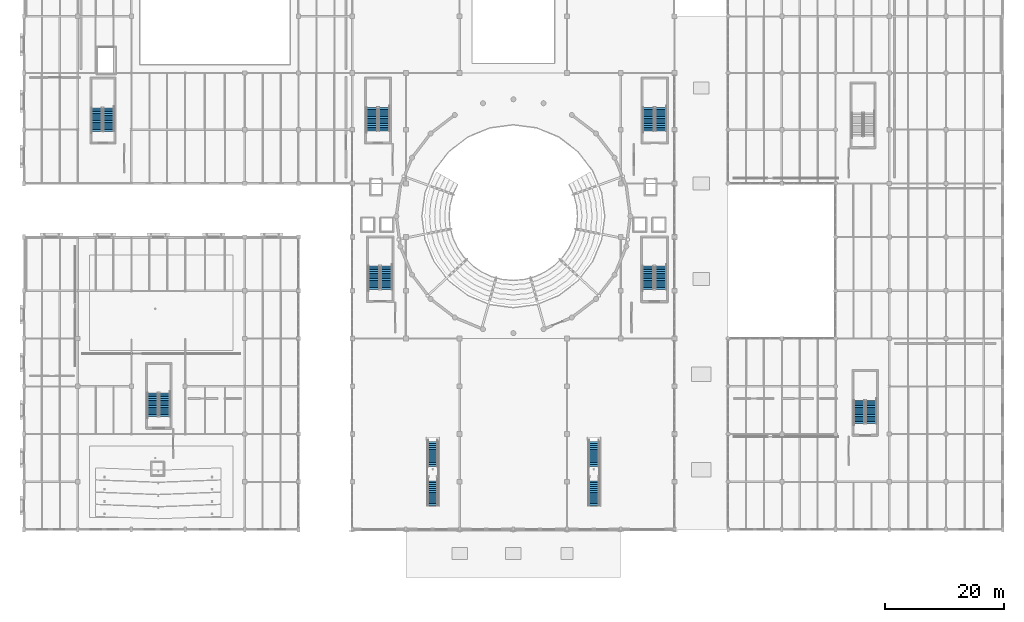
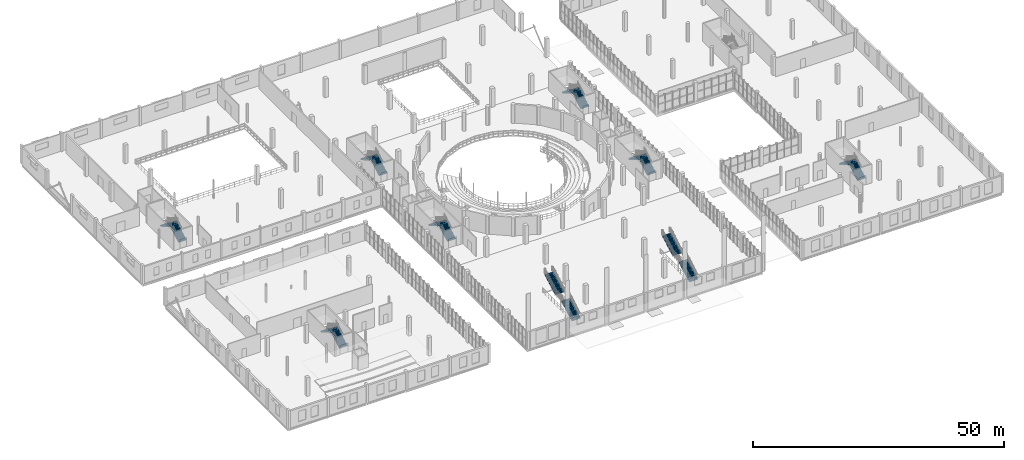
# One storey, part 77 of 93: 18 stair flights, 9 elements without a shape of their own.
"""IFC4 building model written with IfcOpenShell, lengths in metres."""

from ifc_helpers import new_model, si_unit, direction, frame, origin, place, context, subcontext, project, spatial, polyline, outline, extrude, material, type_object, element, aggregate, save


model = new_model("IFC4")

# Units and contexts
model_context = context("Model", 3, precision=1e-05, world=origin(), true_north=direction((0.0, 1.0)))
body_context = subcontext(model_context, "Body", "Model", "MODEL_VIEW")
ifc_project = project(units=[si_unit("LENGTHUNIT", "METRE"), si_unit("AREAUNIT", "SQUARE_METRE"), si_unit("VOLUMEUNIT", "CUBIC_METRE"), si_unit("PLANEANGLEUNIT", "RADIAN"), si_unit("MASSUNIT", "GRAM", prefix="KILO")], contexts=[model_context])

# Site, building, storey
site_placement = place(None, origin())
site = spatial("IfcSite", under=ifc_project, at=site_placement, CompositionType="ELEMENT")
building_placement = place(site_placement, origin())
building = spatial("IfcBuilding", under=site, at=building_placement, Name="Marnock Terrace Opera House", CompositionType="ELEMENT")
storey_placement = place(building_placement, frame((0.0, 0.0, 5.39990234375)))
storey = spatial("IfcBuildingStorey", under=building, at=storey_placement, Name="L01", CompositionType="ELEMENT", Elevation=5.39990234375)

# Stair, stair flights
ifc_material = material(Name="Concrete N40 (f'c = 40 MPa)", Category="concrete")
stair_type_1 = type_object("IfcStairType", Name="ST-GRAND-3200", PredefinedType="STRAIGHT_RUN_STAIR", material=ifc_material)
stair_1_placement = place(storey_placement, origin())
stair_1 = element("IfcStair", 1, at=stair_1_placement, inside=storey, type_object=stair_type_1, Name="L01 Grand Stair ceremonial stair ST-09", PredefinedType="STRAIGHT_RUN_STAIR")
stair_flight_type_1 = type_object("IfcStairFlightType", Name="FLT-GRAND-3200", PredefinedType="STRAIGHT", material=ifc_material)
stair_flight_1_placement = place(storey_placement, frame((68.5, 12.0, 0.0), z_axis=(0.0, 0.0, 1.0), x_axis=(0.0, 1.0, 0.0)))
stair_flight_1 = element("IfcStairFlight", 2, at=stair_flight_1_placement, type_object=stair_flight_type_1, Name="ST-09 flight 1", NumberOfRisers=14, NumberOfTreads=13, PredefinedType="STRAIGHT", RiserHeight=0.171429, TreadLength=0.32, context=body_context, shape_type="SweptSolid", body=[
    extrude(outline(polyline([(-0.00048828125, -0.06005859375), (-0.00048828125, 0.0), (0.0, 0.0), (0.0, 0.17138671875), (0.320068359375, 0.17138671875), (0.320068359375, 0.3427734375), (0.639892578125, 0.3427734375), (0.639892578125, 0.514404296875), (0.9599609375, 0.514404296875), (0.9599609375, 0.685791015625), (1.280029296875, 0.685791015625), (1.280029296875, 0.857177734375), (1.60009765625, 0.857177734375), (1.60009765625, 1.028564453125), (1.919921875, 1.028564453125), (1.919921875, 1.199951171875), (2.239990234375, 1.199951171875), (2.239990234375, 1.371337890625), (2.56005859375, 1.371337890625), (2.56005859375, 1.54296875), (2.8798828125, 1.54296875), (2.8798828125, 1.71435546875), (3.199951171875, 1.71435546875), (3.199951171875, 1.8857421875), (3.52001953125, 1.8857421875), (3.52001953125, 2.05712890625), (3.840087890625, 2.05712890625), (3.840087890625, 2.228515625), (4.159912109375, 2.228515625), (4.159912109375, 2.39990234375), (4.160400390625, 2.39990234375), (4.160400390625, 2.001708984375), (4.159912109375, 2.001708984375), (0.42333984375, -0.06005859375), (-0.00048828125, -0.06005859375)])), frame((0.0, 0.97998046875, 0.0), z_axis=(0.0, -1.0, 0.0), x_axis=(1.0, 0.0, 0.0)), (0.0, 0.0, 1.0), 1.9599609375),
])
stair_flight_2_placement = place(storey_placement, frame((68.5, 18.56005859375, 2.400146484375), z_axis=(0.0, 0.0, 1.0), x_axis=(0.0, 1.0, 0.0)))
stair_flight_2 = element("IfcStairFlight", 3, at=stair_flight_2_placement, type_object=stair_flight_type_1, Name="ST-09 flight 2", NumberOfRisers=14, NumberOfTreads=13, PredefinedType="STRAIGHT", RiserHeight=0.171429, TreadLength=0.32, context=body_context, shape_type="SweptSolid", body=[
    extrude(outline(polyline([(-0.00048828125, -0.06005859375), (-0.00048828125, 0.0), (0.0, 0.0), (0.0, 0.17138671875), (0.320068359375, 0.17138671875), (0.320068359375, 0.3427734375), (0.639892578125, 0.3427734375), (0.639892578125, 0.514404296875), (0.9599609375, 0.514404296875), (0.9599609375, 0.685791015625), (1.280029296875, 0.685791015625), (1.280029296875, 0.857177734375), (1.60009765625, 0.857177734375), (1.60009765625, 1.028564453125), (1.919921875, 1.028564453125), (1.919921875, 1.199951171875), (2.239990234375, 1.199951171875), (2.239990234375, 1.371337890625), (2.56005859375, 1.371337890625), (2.56005859375, 1.54296875), (2.8798828125, 1.54296875), (2.8798828125, 1.71435546875), (3.199951171875, 1.71435546875), (3.199951171875, 1.8857421875), (3.52001953125, 1.8857421875), (3.52001953125, 2.05712890625), (3.840087890625, 2.05712890625), (3.840087890625, 2.228515625), (4.159912109375, 2.228515625), (4.159912109375, 2.39990234375), (4.160400390625, 2.39990234375), (4.160400390625, 2.001708984375), (4.159912109375, 2.001708984375), (0.42333984375, -0.06005859375), (-0.00048828125, -0.06005859375)])), frame((0.0, 0.97998046875, 0.0), z_axis=(0.0, -1.0, 0.0), x_axis=(1.0, 0.0, 0.0)), (0.0, 0.0, 1.0), 1.9599609375),
])
aggregate(stair_1, [stair_flight_1, stair_flight_2])

stair_2_placement = place(storey_placement, origin())
stair_2 = element("IfcStair", 4, at=stair_2_placement, inside=storey, type_object=stair_type_1, Name="L01 Grand Stair ceremonial stair ST-10", PredefinedType="STRAIGHT_RUN_STAIR")
stair_flight_3_placement = place(storey_placement, frame((95.5, 12.0, 0.0), z_axis=(0.0, 0.0, 1.0), x_axis=(0.0, 1.0, 0.0)))
stair_flight_3 = element("IfcStairFlight", 5, at=stair_flight_3_placement, type_object=stair_flight_type_1, Name="ST-10 flight 1", NumberOfRisers=14, NumberOfTreads=13, PredefinedType="STRAIGHT", RiserHeight=0.171429, TreadLength=0.32, context=body_context, shape_type="SweptSolid", body=[
    extrude(outline(polyline([(-0.00048828125, -0.06005859375), (-0.00048828125, 0.0), (0.0, 0.0), (0.0, 0.17138671875), (0.320068359375, 0.17138671875), (0.320068359375, 0.3427734375), (0.639892578125, 0.3427734375), (0.639892578125, 0.514404296875), (0.9599609375, 0.514404296875), (0.9599609375, 0.685791015625), (1.280029296875, 0.685791015625), (1.280029296875, 0.857177734375), (1.60009765625, 0.857177734375), (1.60009765625, 1.028564453125), (1.919921875, 1.028564453125), (1.919921875, 1.199951171875), (2.239990234375, 1.199951171875), (2.239990234375, 1.371337890625), (2.56005859375, 1.371337890625), (2.56005859375, 1.54296875), (2.8798828125, 1.54296875), (2.8798828125, 1.71435546875), (3.199951171875, 1.71435546875), (3.199951171875, 1.8857421875), (3.52001953125, 1.8857421875), (3.52001953125, 2.05712890625), (3.840087890625, 2.05712890625), (3.840087890625, 2.228515625), (4.159912109375, 2.228515625), (4.159912109375, 2.39990234375), (4.160400390625, 2.39990234375), (4.160400390625, 2.001708984375), (4.159912109375, 2.001708984375), (0.42333984375, -0.06005859375), (-0.00048828125, -0.06005859375)])), frame((0.0, 0.97998046875, 0.0), z_axis=(0.0, -1.0, 0.0), x_axis=(1.0, 0.0, 0.0)), (0.0, 0.0, 1.0), 1.9599609375),
])
stair_flight_4_placement = place(storey_placement, frame((95.5, 18.56005859375, 2.400146484375), z_axis=(0.0, 0.0, 1.0), x_axis=(0.0, 1.0, 0.0)))
stair_flight_4 = element("IfcStairFlight", 6, at=stair_flight_4_placement, type_object=stair_flight_type_1, Name="ST-10 flight 2", NumberOfRisers=14, NumberOfTreads=13, PredefinedType="STRAIGHT", RiserHeight=0.171429, TreadLength=0.32, context=body_context, shape_type="SweptSolid", body=[
    extrude(outline(polyline([(-0.00048828125, -0.06005859375), (-0.00048828125, 0.0), (0.0, 0.0), (0.0, 0.17138671875), (0.320068359375, 0.17138671875), (0.320068359375, 0.3427734375), (0.639892578125, 0.3427734375), (0.639892578125, 0.514404296875), (0.9599609375, 0.514404296875), (0.9599609375, 0.685791015625), (1.280029296875, 0.685791015625), (1.280029296875, 0.857177734375), (1.60009765625, 0.857177734375), (1.60009765625, 1.028564453125), (1.919921875, 1.028564453125), (1.919921875, 1.199951171875), (2.239990234375, 1.199951171875), (2.239990234375, 1.371337890625), (2.56005859375, 1.371337890625), (2.56005859375, 1.54296875), (2.8798828125, 1.54296875), (2.8798828125, 1.71435546875), (3.199951171875, 1.71435546875), (3.199951171875, 1.8857421875), (3.52001953125, 1.8857421875), (3.52001953125, 2.05712890625), (3.840087890625, 2.05712890625), (3.840087890625, 2.228515625), (4.159912109375, 2.228515625), (4.159912109375, 2.39990234375), (4.160400390625, 2.39990234375), (4.160400390625, 2.001708984375), (4.159912109375, 2.001708984375), (0.42333984375, -0.06005859375), (-0.00048828125, -0.06005859375)])), frame((0.0, 0.97998046875, 0.0), z_axis=(0.0, -1.0, 0.0), x_axis=(1.0, 0.0, 0.0)), (0.0, 0.0, 1.0), 1.9599609375),
])
aggregate(stair_2, [stair_flight_3, stair_flight_4])

stair_type_2 = type_object("IfcStairType", Name="ST-TYPE-2000", PredefinedType="HALF_TURN_STAIR", material=ifc_material)
stair_3_placement = place(storey_placement, origin())
stair_3 = element("IfcStair", 7, at=stair_3_placement, inside=storey, type_object=stair_type_2, Name="L01 ST-07", PredefinedType="HALF_TURN_STAIR")
stair_flight_type_2 = type_object("IfcStairFlightType", Name="FLT-TYPE-2000", PredefinedType="STRAIGHT", material=ifc_material)
stair_flight_5_placement = place(storey_placement, frame((14.219970703125, 74.719970703125, 0.0), z_axis=(0.0, 0.0, 1.0), x_axis=(0.0, 1.0, 0.0)))
stair_flight_5 = element("IfcStairFlight", 8, at=stair_flight_5_placement, type_object=stair_flight_type_2, Name="ST-07 flight 1", NumberOfRisers=14, NumberOfTreads=13, PredefinedType="STRAIGHT", RiserHeight=0.171428571, TreadLength=0.3, context=body_context, shape_type="SweptSolid", body=[
    extrude(outline(polyline([(-0.00048828125, -0.06005859375), (-0.00048828125, 0.0), (0.0, 0.0), (0.0, 0.17138671875), (0.300048828125, 0.17138671875), (0.300048828125, 0.3427734375), (0.60009765625, 0.3427734375), (0.60009765625, 0.514404296875), (0.89990234375, 0.514404296875), (0.89990234375, 0.685791015625), (1.199951171875, 0.685791015625), (1.199951171875, 0.857177734375), (1.5, 0.857177734375), (1.5, 1.028564453125), (1.800048828125, 1.028564453125), (1.800048828125, 1.199951171875), (2.10009765625, 1.199951171875), (2.10009765625, 1.371337890625), (2.39990234375, 1.371337890625), (2.39990234375, 1.54296875), (2.699951171875, 1.54296875), (2.699951171875, 1.71435546875), (3.0, 1.71435546875), (3.0, 1.8857421875), (3.300048828125, 1.8857421875), (3.300048828125, 2.05712890625), (3.60009765625, 2.05712890625), (3.60009765625, 2.228515625), (3.89990234375, 2.228515625), (3.89990234375, 2.39990234375), (3.900390625, 2.39990234375), (3.900390625, 2.055908203125), (3.89990234375, 2.055908203125), (0.30224609375, -0.06005859375), (-0.00048828125, -0.06005859375)])), frame((0.0, 0.89990234375, 0.0), z_axis=(0.0, -1.0, 0.0), x_axis=(1.0, 0.0, 0.0)), (0.0, 0.0, 1.0), 1.800048828125),
])
stair_flight_6_placement = place(storey_placement, frame((12.219970703125, 78.6201171875, 2.400146484375), z_axis=(0.0, 0.0, 1.0), x_axis=(0.0, -1.0, 0.0)))
stair_flight_6 = element("IfcStairFlight", 9, at=stair_flight_6_placement, type_object=stair_flight_type_2, Name="ST-07 flight 2", NumberOfRisers=14, NumberOfTreads=13, PredefinedType="STRAIGHT", RiserHeight=0.171428571, TreadLength=0.3, context=body_context, shape_type="SweptSolid", body=[
    extrude(outline(polyline([(-0.00048828125, -0.06005859375), (-0.00048828125, 0.0), (0.0, 0.0), (0.0, 0.17138671875), (0.300048828125, 0.17138671875), (0.300048828125, 0.3427734375), (0.60009765625, 0.3427734375), (0.60009765625, 0.514404296875), (0.89990234375, 0.514404296875), (0.89990234375, 0.685791015625), (1.199951171875, 0.685791015625), (1.199951171875, 0.857177734375), (1.5, 0.857177734375), (1.5, 1.028564453125), (1.800048828125, 1.028564453125), (1.800048828125, 1.199951171875), (2.10009765625, 1.199951171875), (2.10009765625, 1.371337890625), (2.39990234375, 1.371337890625), (2.39990234375, 1.54296875), (2.699951171875, 1.54296875), (2.699951171875, 1.71435546875), (3.0, 1.71435546875), (3.0, 1.8857421875), (3.300048828125, 1.8857421875), (3.300048828125, 2.05712890625), (3.60009765625, 2.05712890625), (3.60009765625, 2.228515625), (3.89990234375, 2.228515625), (3.89990234375, 2.39990234375), (3.900390625, 2.39990234375), (3.900390625, 2.055908203125), (3.89990234375, 2.055908203125), (0.30224609375, -0.06005859375), (-0.00048828125, -0.06005859375)])), frame((0.0, 0.89990234375, 0.0), z_axis=(0.0, -1.0, 0.0), x_axis=(1.0, 0.0, 0.0)), (0.0, 0.0, 1.0), 1.800048828125),
])
aggregate(stair_3, [stair_flight_5, stair_flight_6])

stair_type_3 = type_object("IfcStairType", Name="ST-TYPE-2200", PredefinedType="HALF_TURN_STAIR", material=ifc_material)
stair_4_placement = place(storey_placement, origin())
stair_4 = element("IfcStair", 10, at=stair_4_placement, inside=storey, type_object=stair_type_3, Name="L01 ST-05", PredefinedType="HALF_TURN_STAIR")
stair_flight_type_3 = type_object("IfcStairFlightType", Name="FLT-TYPE-2200", PredefinedType="STRAIGHT", material=ifc_material)
stair_flight_7_placement = place(storey_placement, frame((23.60009765625, 26.9599609375, 0.0), z_axis=(0.0, 0.0, 1.0), x_axis=(0.0, 1.0, 0.0)))
stair_flight_7 = element("IfcStairFlight", 11, at=stair_flight_7_placement, type_object=stair_flight_type_3, Name="ST-05 flight 1", NumberOfRisers=14, NumberOfTreads=13, PredefinedType="STRAIGHT", RiserHeight=0.171428571, TreadLength=0.3, context=body_context, shape_type="SweptSolid", body=[
    extrude(outline(polyline([(-0.00048828125, -0.06005859375), (-0.00048828125, 0.0), (0.0, 0.0), (0.0, 0.17138671875), (0.300048828125, 0.17138671875), (0.300048828125, 0.3427734375), (0.60009765625, 0.3427734375), (0.60009765625, 0.514404296875), (0.89990234375, 0.514404296875), (0.89990234375, 0.685791015625), (1.199951171875, 0.685791015625), (1.199951171875, 0.857177734375), (1.5, 0.857177734375), (1.5, 1.028564453125), (1.800048828125, 1.028564453125), (1.800048828125, 1.199951171875), (2.10009765625, 1.199951171875), (2.10009765625, 1.371337890625), (2.39990234375, 1.371337890625), (2.39990234375, 1.54296875), (2.699951171875, 1.54296875), (2.699951171875, 1.71435546875), (3.0, 1.71435546875), (3.0, 1.8857421875), (3.300048828125, 1.8857421875), (3.300048828125, 2.05712890625), (3.60009765625, 2.05712890625), (3.60009765625, 2.228515625), (3.89990234375, 2.228515625), (3.89990234375, 2.39990234375), (3.900390625, 2.39990234375), (3.900390625, 2.055908203125), (3.89990234375, 2.055908203125), (0.30224609375, -0.06005859375), (-0.00048828125, -0.06005859375)])), frame((0.0, 0.919921875, 0.0), z_axis=(0.0, -1.0, 0.0), x_axis=(1.0, 0.0, 0.0)), (0.0, 0.0, 1.0), 1.840087890625),
])
stair_flight_8_placement = place(storey_placement, frame((21.56005859375, 30.860107421875, 2.400146484375), z_axis=(0.0, 0.0, 1.0), x_axis=(0.0, -1.0, 0.0)))
stair_flight_8 = element("IfcStairFlight", 12, at=stair_flight_8_placement, type_object=stair_flight_type_3, Name="ST-05 flight 2", NumberOfRisers=14, NumberOfTreads=13, PredefinedType="STRAIGHT", RiserHeight=0.171428571, TreadLength=0.3, context=body_context, shape_type="SweptSolid", body=[
    extrude(outline(polyline([(-0.00048828125, -0.06005859375), (-0.00048828125, 0.0), (0.0, 0.0), (0.0, 0.17138671875), (0.300048828125, 0.17138671875), (0.300048828125, 0.3427734375), (0.60009765625, 0.3427734375), (0.60009765625, 0.514404296875), (0.89990234375, 0.514404296875), (0.89990234375, 0.685791015625), (1.199951171875, 0.685791015625), (1.199951171875, 0.857177734375), (1.5, 0.857177734375), (1.5, 1.028564453125), (1.800048828125, 1.028564453125), (1.800048828125, 1.199951171875), (2.10009765625, 1.199951171875), (2.10009765625, 1.371337890625), (2.39990234375, 1.371337890625), (2.39990234375, 1.54296875), (2.699951171875, 1.54296875), (2.699951171875, 1.71435546875), (3.0, 1.71435546875), (3.0, 1.8857421875), (3.300048828125, 1.8857421875), (3.300048828125, 2.05712890625), (3.60009765625, 2.05712890625), (3.60009765625, 2.228515625), (3.89990234375, 2.228515625), (3.89990234375, 2.39990234375), (3.900390625, 2.39990234375), (3.900390625, 2.055908203125), (3.89990234375, 2.055908203125), (0.30224609375, -0.06005859375), (-0.00048828125, -0.06005859375)])), frame((0.0, 0.919921875, 0.0), z_axis=(0.0, -1.0, 0.0), x_axis=(1.0, 0.0, 0.0)), (0.0, 0.0, 1.0), 1.840087890625),
])
aggregate(stair_4, [stair_flight_7, stair_flight_8])

stair_5_placement = place(storey_placement, origin())
stair_5 = element("IfcStair", 13, at=stair_5_placement, inside=storey, type_object=stair_type_3, Name="L01 ST-06", PredefinedType="HALF_TURN_STAIR")
stair_flight_9_placement = place(storey_placement, frame((142.0, 25.760009765625, 0.0), z_axis=(0.0, 0.0, 1.0), x_axis=(0.0, 1.0, 0.0)))
stair_flight_9 = element("IfcStairFlight", 14, at=stair_flight_9_placement, type_object=stair_flight_type_3, Name="ST-06 flight 1", NumberOfRisers=14, NumberOfTreads=13, PredefinedType="STRAIGHT", RiserHeight=0.171428571, TreadLength=0.3, context=body_context, shape_type="SweptSolid", body=[
    extrude(outline(polyline([(-0.00048828125, -0.06005859375), (-0.00048828125, 0.0), (0.0, 0.0), (0.0, 0.17138671875), (0.300048828125, 0.17138671875), (0.300048828125, 0.3427734375), (0.60009765625, 0.3427734375), (0.60009765625, 0.514404296875), (0.89990234375, 0.514404296875), (0.89990234375, 0.685791015625), (1.199951171875, 0.685791015625), (1.199951171875, 0.857177734375), (1.5, 0.857177734375), (1.5, 1.028564453125), (1.800048828125, 1.028564453125), (1.800048828125, 1.199951171875), (2.10009765625, 1.199951171875), (2.10009765625, 1.371337890625), (2.39990234375, 1.371337890625), (2.39990234375, 1.54296875), (2.699951171875, 1.54296875), (2.699951171875, 1.71435546875), (3.0, 1.71435546875), (3.0, 1.8857421875), (3.300048828125, 1.8857421875), (3.300048828125, 2.05712890625), (3.60009765625, 2.05712890625), (3.60009765625, 2.228515625), (3.89990234375, 2.228515625), (3.89990234375, 2.39990234375), (3.900390625, 2.39990234375), (3.900390625, 2.055908203125), (3.89990234375, 2.055908203125), (0.30224609375, -0.06005859375), (-0.00048828125, -0.06005859375)])), frame((0.0, 0.919921875, 0.0), z_axis=(0.0, -1.0, 0.0), x_axis=(1.0, 0.0, 0.0)), (0.0, 0.0, 1.0), 1.840087890625),
])
stair_flight_10_placement = place(storey_placement, frame((139.9599609375, 29.659912109375, 2.400146484375), z_axis=(0.0, 0.0, 1.0), x_axis=(0.0, -1.0, 0.0)))
stair_flight_10 = element("IfcStairFlight", 15, at=stair_flight_10_placement, type_object=stair_flight_type_3, Name="ST-06 flight 2", NumberOfRisers=14, NumberOfTreads=13, PredefinedType="STRAIGHT", RiserHeight=0.171428571, TreadLength=0.3, context=body_context, shape_type="SweptSolid", body=[
    extrude(outline(polyline([(-0.00048828125, -0.06005859375), (-0.00048828125, 0.0), (0.0, 0.0), (0.0, 0.17138671875), (0.300048828125, 0.17138671875), (0.300048828125, 0.3427734375), (0.60009765625, 0.3427734375), (0.60009765625, 0.514404296875), (0.89990234375, 0.514404296875), (0.89990234375, 0.685791015625), (1.199951171875, 0.685791015625), (1.199951171875, 0.857177734375), (1.5, 0.857177734375), (1.5, 1.028564453125), (1.800048828125, 1.028564453125), (1.800048828125, 1.199951171875), (2.10009765625, 1.199951171875), (2.10009765625, 1.371337890625), (2.39990234375, 1.371337890625), (2.39990234375, 1.54296875), (2.699951171875, 1.54296875), (2.699951171875, 1.71435546875), (3.0, 1.71435546875), (3.0, 1.8857421875), (3.300048828125, 1.8857421875), (3.300048828125, 2.05712890625), (3.60009765625, 2.05712890625), (3.60009765625, 2.228515625), (3.89990234375, 2.228515625), (3.89990234375, 2.39990234375), (3.900390625, 2.39990234375), (3.900390625, 2.055908203125), (3.89990234375, 2.055908203125), (0.30224609375, -0.06005859375), (-0.00048828125, -0.06005859375)])), frame((0.0, 0.919921875, 0.0), z_axis=(0.0, -1.0, 0.0), x_axis=(1.0, 0.0, 0.0)), (0.0, 0.0, 1.0), 1.840087890625),
])
aggregate(stair_5, [stair_flight_9, stair_flight_10])

stair_type_4 = type_object("IfcStairType", Name="ST-TYPE-2400", PredefinedType="HALF_TURN_STAIR", material=ifc_material)
stair_6_placement = place(storey_placement, origin())
stair_6 = element("IfcStair", 16, at=stair_6_placement, inside=storey, type_object=stair_type_4, Name="L01 ST-03", PredefinedType="HALF_TURN_STAIR")
stair_flight_type_4 = type_object("IfcStairFlightType", Name="FLT-TYPE-2400", PredefinedType="STRAIGHT", material=ifc_material)
stair_flight_11_placement = place(storey_placement, frame((60.3798828125, 74.800048828125, 0.0), z_axis=(0.0, 0.0, 1.0), x_axis=(0.0, 1.0, 0.0)))
stair_flight_11 = element("IfcStairFlight", 17, at=stair_flight_11_placement, type_object=stair_flight_type_4, Name="ST-03 flight 1", NumberOfRisers=14, NumberOfTreads=13, PredefinedType="STRAIGHT", RiserHeight=0.171428571, TreadLength=0.3, context=body_context, shape_type="SweptSolid", body=[
    extrude(outline(polyline([(-0.00048828125, -0.06005859375), (-0.00048828125, 0.0), (0.0, 0.0), (0.0, 0.17138671875), (0.300048828125, 0.17138671875), (0.300048828125, 0.3427734375), (0.60009765625, 0.3427734375), (0.60009765625, 0.514404296875), (0.89990234375, 0.514404296875), (0.89990234375, 0.685791015625), (1.199951171875, 0.685791015625), (1.199951171875, 0.857177734375), (1.5, 0.857177734375), (1.5, 1.028564453125), (1.800048828125, 1.028564453125), (1.800048828125, 1.199951171875), (2.10009765625, 1.199951171875), (2.10009765625, 1.371337890625), (2.39990234375, 1.371337890625), (2.39990234375, 1.54296875), (2.699951171875, 1.54296875), (2.699951171875, 1.71435546875), (3.0, 1.71435546875), (3.0, 1.8857421875), (3.300048828125, 1.8857421875), (3.300048828125, 2.05712890625), (3.60009765625, 2.05712890625), (3.60009765625, 2.228515625), (3.89990234375, 2.228515625), (3.89990234375, 2.39990234375), (3.900390625, 2.39990234375), (3.900390625, 2.055908203125), (3.89990234375, 2.055908203125), (0.30224609375, -0.06005859375), (-0.00048828125, -0.06005859375)])), frame((0.0, 0.93994140625, 0.0), z_axis=(0.0, -1.0, 0.0), x_axis=(1.0, 0.0, 0.0)), (0.0, 0.0, 1.0), 1.8798828125),
])
stair_flight_12_placement = place(storey_placement, frame((58.300048828125, 78.699951171875, 2.400146484375), z_axis=(0.0, 0.0, 1.0), x_axis=(0.0, -1.0, 0.0)))
stair_flight_12 = element("IfcStairFlight", 18, at=stair_flight_12_placement, type_object=stair_flight_type_4, Name="ST-03 flight 2", NumberOfRisers=14, NumberOfTreads=13, PredefinedType="STRAIGHT", RiserHeight=0.171428571, TreadLength=0.3, context=body_context, shape_type="SweptSolid", body=[
    extrude(outline(polyline([(-0.00048828125, -0.06005859375), (-0.00048828125, 0.0), (0.0, 0.0), (0.0, 0.17138671875), (0.300048828125, 0.17138671875), (0.300048828125, 0.3427734375), (0.60009765625, 0.3427734375), (0.60009765625, 0.514404296875), (0.89990234375, 0.514404296875), (0.89990234375, 0.685791015625), (1.199951171875, 0.685791015625), (1.199951171875, 0.857177734375), (1.5, 0.857177734375), (1.5, 1.028564453125), (1.800048828125, 1.028564453125), (1.800048828125, 1.199951171875), (2.10009765625, 1.199951171875), (2.10009765625, 1.371337890625), (2.39990234375, 1.371337890625), (2.39990234375, 1.54296875), (2.699951171875, 1.54296875), (2.699951171875, 1.71435546875), (3.0, 1.71435546875), (3.0, 1.8857421875), (3.300048828125, 1.8857421875), (3.300048828125, 2.05712890625), (3.60009765625, 2.05712890625), (3.60009765625, 2.228515625), (3.89990234375, 2.228515625), (3.89990234375, 2.39990234375), (3.900390625, 2.39990234375), (3.900390625, 2.055908203125), (3.89990234375, 2.055908203125), (0.30224609375, -0.06005859375), (-0.00048828125, -0.06005859375)])), frame((0.0, 0.93994140625, 0.0), z_axis=(0.0, -1.0, 0.0), x_axis=(1.0, 0.0, 0.0)), (0.0, 0.0, 1.0), 1.8798828125),
])
aggregate(stair_6, [stair_flight_11, stair_flight_12])

stair_7_placement = place(storey_placement, origin())
stair_7 = element("IfcStair", 19, at=stair_7_placement, inside=storey, type_object=stair_type_4, Name="L01 ST-04", PredefinedType="HALF_TURN_STAIR")
stair_flight_13_placement = place(storey_placement, frame((106.739990234375, 74.800048828125, 0.0), z_axis=(0.0, 0.0, 1.0), x_axis=(0.0, 1.0, 0.0)))
stair_flight_13 = element("IfcStairFlight", 20, at=stair_flight_13_placement, type_object=stair_flight_type_4, Name="ST-04 flight 1", NumberOfRisers=14, NumberOfTreads=13, PredefinedType="STRAIGHT", RiserHeight=0.171428571, TreadLength=0.3, context=body_context, shape_type="SweptSolid", body=[
    extrude(outline(polyline([(-0.00048828125, -0.06005859375), (-0.00048828125, 0.0), (0.0, 0.0), (0.0, 0.17138671875), (0.300048828125, 0.17138671875), (0.300048828125, 0.3427734375), (0.60009765625, 0.3427734375), (0.60009765625, 0.514404296875), (0.89990234375, 0.514404296875), (0.89990234375, 0.685791015625), (1.199951171875, 0.685791015625), (1.199951171875, 0.857177734375), (1.5, 0.857177734375), (1.5, 1.028564453125), (1.800048828125, 1.028564453125), (1.800048828125, 1.199951171875), (2.10009765625, 1.199951171875), (2.10009765625, 1.371337890625), (2.39990234375, 1.371337890625), (2.39990234375, 1.54296875), (2.699951171875, 1.54296875), (2.699951171875, 1.71435546875), (3.0, 1.71435546875), (3.0, 1.8857421875), (3.300048828125, 1.8857421875), (3.300048828125, 2.05712890625), (3.60009765625, 2.05712890625), (3.60009765625, 2.228515625), (3.89990234375, 2.228515625), (3.89990234375, 2.39990234375), (3.900390625, 2.39990234375), (3.900390625, 2.055908203125), (3.89990234375, 2.055908203125), (0.30224609375, -0.06005859375), (-0.00048828125, -0.06005859375)])), frame((0.0, 0.93994140625, 0.0), z_axis=(0.0, -1.0, 0.0), x_axis=(1.0, 0.0, 0.0)), (0.0, 0.0, 1.0), 1.8798828125),
])
stair_flight_14_placement = place(storey_placement, frame((104.659912109375, 78.699951171875, 2.400146484375), z_axis=(0.0, 0.0, 1.0), x_axis=(0.0, -1.0, 0.0)))
stair_flight_14 = element("IfcStairFlight", 21, at=stair_flight_14_placement, type_object=stair_flight_type_4, Name="ST-04 flight 2", NumberOfRisers=14, NumberOfTreads=13, PredefinedType="STRAIGHT", RiserHeight=0.171428571, TreadLength=0.3, context=body_context, shape_type="SweptSolid", body=[
    extrude(outline(polyline([(-0.00048828125, -0.06005859375), (-0.00048828125, 0.0), (0.0, 0.0), (0.0, 0.17138671875), (0.300048828125, 0.17138671875), (0.300048828125, 0.3427734375), (0.60009765625, 0.3427734375), (0.60009765625, 0.514404296875), (0.89990234375, 0.514404296875), (0.89990234375, 0.685791015625), (1.199951171875, 0.685791015625), (1.199951171875, 0.857177734375), (1.5, 0.857177734375), (1.5, 1.028564453125), (1.800048828125, 1.028564453125), (1.800048828125, 1.199951171875), (2.10009765625, 1.199951171875), (2.10009765625, 1.371337890625), (2.39990234375, 1.371337890625), (2.39990234375, 1.54296875), (2.699951171875, 1.54296875), (2.699951171875, 1.71435546875), (3.0, 1.71435546875), (3.0, 1.8857421875), (3.300048828125, 1.8857421875), (3.300048828125, 2.05712890625), (3.60009765625, 2.05712890625), (3.60009765625, 2.228515625), (3.89990234375, 2.228515625), (3.89990234375, 2.39990234375), (3.900390625, 2.39990234375), (3.900390625, 2.055908203125), (3.89990234375, 2.055908203125), (0.30224609375, -0.06005859375), (-0.00048828125, -0.06005859375)])), frame((0.0, 0.93994140625, 0.0), z_axis=(0.0, -1.0, 0.0), x_axis=(1.0, 0.0, 0.0)), (0.0, 0.0, 1.0), 1.8798828125),
])
aggregate(stair_7, [stair_flight_13, stair_flight_14])

stair_type_5 = type_object("IfcStairType", Name="ST-TYPE-2600", PredefinedType="HALF_TURN_STAIR", material=ifc_material)
stair_8_placement = place(storey_placement, origin())
stair_8 = element("IfcStair", 22, at=stair_8_placement, inside=storey, type_object=stair_type_5, Name="L01 ST-01", PredefinedType="HALF_TURN_STAIR")
stair_flight_type_5 = type_object("IfcStairFlightType", Name="FLT-TYPE-2600", PredefinedType="STRAIGHT", material=ifc_material)
stair_flight_15_placement = place(storey_placement, frame((60.760009765625, 48.239990234375, 0.0), z_axis=(0.0, 0.0, 1.0), x_axis=(0.0, 1.0, 0.0)))
stair_flight_15 = element("IfcStairFlight", 23, at=stair_flight_15_placement, type_object=stair_flight_type_5, Name="ST-01 flight 1", NumberOfRisers=14, NumberOfTreads=13, PredefinedType="STRAIGHT", RiserHeight=0.171428571, TreadLength=0.3, context=body_context, shape_type="SweptSolid", body=[
    extrude(outline(polyline([(-0.00048828125, -0.06005859375), (-0.00048828125, 0.0), (0.0, 0.0), (0.0, 0.17138671875), (0.300048828125, 0.17138671875), (0.300048828125, 0.3427734375), (0.60009765625, 0.3427734375), (0.60009765625, 0.514404296875), (0.89990234375, 0.514404296875), (0.89990234375, 0.685791015625), (1.199951171875, 0.685791015625), (1.199951171875, 0.857177734375), (1.5, 0.857177734375), (1.5, 1.028564453125), (1.800048828125, 1.028564453125), (1.800048828125, 1.199951171875), (2.10009765625, 1.199951171875), (2.10009765625, 1.371337890625), (2.39990234375, 1.371337890625), (2.39990234375, 1.54296875), (2.699951171875, 1.54296875), (2.699951171875, 1.71435546875), (3.0, 1.71435546875), (3.0, 1.8857421875), (3.300048828125, 1.8857421875), (3.300048828125, 2.05712890625), (3.60009765625, 2.05712890625), (3.60009765625, 2.228515625), (3.89990234375, 2.228515625), (3.89990234375, 2.39990234375), (3.900390625, 2.39990234375), (3.900390625, 2.055908203125), (3.89990234375, 2.055908203125), (0.30224609375, -0.06005859375), (-0.00048828125, -0.06005859375)])), frame((0.0, 0.9599609375, 0.0), z_axis=(0.0, -1.0, 0.0), x_axis=(1.0, 0.0, 0.0)), (0.0, 0.0, 1.0), 1.919921875),
])
stair_flight_16_placement = place(storey_placement, frame((58.639892578125, 52.139892578125, 2.400146484375), z_axis=(0.0, 0.0, 1.0), x_axis=(0.0, -1.0, 0.0)))
stair_flight_16 = element("IfcStairFlight", 24, at=stair_flight_16_placement, type_object=stair_flight_type_5, Name="ST-01 flight 2", NumberOfRisers=14, NumberOfTreads=13, PredefinedType="STRAIGHT", RiserHeight=0.171428571, TreadLength=0.3, context=body_context, shape_type="SweptSolid", body=[
    extrude(outline(polyline([(-0.00048828125, -0.06005859375), (-0.00048828125, 0.0), (0.0, 0.0), (0.0, 0.17138671875), (0.300048828125, 0.17138671875), (0.300048828125, 0.3427734375), (0.60009765625, 0.3427734375), (0.60009765625, 0.514404296875), (0.89990234375, 0.514404296875), (0.89990234375, 0.685791015625), (1.199951171875, 0.685791015625), (1.199951171875, 0.857177734375), (1.5, 0.857177734375), (1.5, 1.028564453125), (1.800048828125, 1.028564453125), (1.800048828125, 1.199951171875), (2.10009765625, 1.199951171875), (2.10009765625, 1.371337890625), (2.39990234375, 1.371337890625), (2.39990234375, 1.54296875), (2.699951171875, 1.54296875), (2.699951171875, 1.71435546875), (3.0, 1.71435546875), (3.0, 1.8857421875), (3.300048828125, 1.8857421875), (3.300048828125, 2.05712890625), (3.60009765625, 2.05712890625), (3.60009765625, 2.228515625), (3.89990234375, 2.228515625), (3.89990234375, 2.39990234375), (3.900390625, 2.39990234375), (3.900390625, 2.055908203125), (3.89990234375, 2.055908203125), (0.30224609375, -0.06005859375), (-0.00048828125, -0.06005859375)])), frame((0.0, 0.9599609375, 0.0), z_axis=(0.0, -1.0, 0.0), x_axis=(1.0, 0.0, 0.0)), (0.0, 0.0, 1.0), 1.919921875),
])
aggregate(stair_8, [stair_flight_15, stair_flight_16])

stair_9_placement = place(storey_placement, origin())
stair_9 = element("IfcStair", 25, at=stair_9_placement, inside=storey, type_object=stair_type_5, Name="L01 ST-02", PredefinedType="HALF_TURN_STAIR")
stair_flight_17_placement = place(storey_placement, frame((106.719970703125, 48.239990234375, 0.0), z_axis=(0.0, 0.0, 1.0), x_axis=(0.0, 1.0, 0.0)))
stair_flight_17 = element("IfcStairFlight", 26, at=stair_flight_17_placement, type_object=stair_flight_type_5, Name="ST-02 flight 1", NumberOfRisers=14, NumberOfTreads=13, PredefinedType="STRAIGHT", RiserHeight=0.171428571, TreadLength=0.3, context=body_context, shape_type="SweptSolid", body=[
    extrude(outline(polyline([(-0.00048828125, -0.06005859375), (-0.00048828125, 0.0), (0.0, 0.0), (0.0, 0.17138671875), (0.300048828125, 0.17138671875), (0.300048828125, 0.3427734375), (0.60009765625, 0.3427734375), (0.60009765625, 0.514404296875), (0.89990234375, 0.514404296875), (0.89990234375, 0.685791015625), (1.199951171875, 0.685791015625), (1.199951171875, 0.857177734375), (1.5, 0.857177734375), (1.5, 1.028564453125), (1.800048828125, 1.028564453125), (1.800048828125, 1.199951171875), (2.10009765625, 1.199951171875), (2.10009765625, 1.371337890625), (2.39990234375, 1.371337890625), (2.39990234375, 1.54296875), (2.699951171875, 1.54296875), (2.699951171875, 1.71435546875), (3.0, 1.71435546875), (3.0, 1.8857421875), (3.300048828125, 1.8857421875), (3.300048828125, 2.05712890625), (3.60009765625, 2.05712890625), (3.60009765625, 2.228515625), (3.89990234375, 2.228515625), (3.89990234375, 2.39990234375), (3.900390625, 2.39990234375), (3.900390625, 2.055908203125), (3.89990234375, 2.055908203125), (0.30224609375, -0.06005859375), (-0.00048828125, -0.06005859375)])), frame((0.0, 0.9599609375, 0.0), z_axis=(0.0, -1.0, 0.0), x_axis=(1.0, 0.0, 0.0)), (0.0, 0.0, 1.0), 1.919921875),
])
stair_flight_18_placement = place(storey_placement, frame((104.60009765625, 52.139892578125, 2.400146484375), z_axis=(0.0, 0.0, 1.0), x_axis=(0.0, -1.0, 0.0)))
stair_flight_18 = element("IfcStairFlight", 27, at=stair_flight_18_placement, type_object=stair_flight_type_5, Name="ST-02 flight 2", NumberOfRisers=14, NumberOfTreads=13, PredefinedType="STRAIGHT", RiserHeight=0.171428571, TreadLength=0.3, context=body_context, shape_type="SweptSolid", body=[
    extrude(outline(polyline([(-0.00048828125, -0.06005859375), (-0.00048828125, 0.0), (0.0, 0.0), (0.0, 0.17138671875), (0.300048828125, 0.17138671875), (0.300048828125, 0.3427734375), (0.60009765625, 0.3427734375), (0.60009765625, 0.514404296875), (0.89990234375, 0.514404296875), (0.89990234375, 0.685791015625), (1.199951171875, 0.685791015625), (1.199951171875, 0.857177734375), (1.5, 0.857177734375), (1.5, 1.028564453125), (1.800048828125, 1.028564453125), (1.800048828125, 1.199951171875), (2.10009765625, 1.199951171875), (2.10009765625, 1.371337890625), (2.39990234375, 1.371337890625), (2.39990234375, 1.54296875), (2.699951171875, 1.54296875), (2.699951171875, 1.71435546875), (3.0, 1.71435546875), (3.0, 1.8857421875), (3.300048828125, 1.8857421875), (3.300048828125, 2.05712890625), (3.60009765625, 2.05712890625), (3.60009765625, 2.228515625), (3.89990234375, 2.228515625), (3.89990234375, 2.39990234375), (3.900390625, 2.39990234375), (3.900390625, 2.055908203125), (3.89990234375, 2.055908203125), (0.30224609375, -0.06005859375), (-0.00048828125, -0.06005859375)])), frame((0.0, 0.9599609375, 0.0), z_axis=(0.0, -1.0, 0.0), x_axis=(1.0, 0.0, 0.0)), (0.0, 0.0, 1.0), 1.919921875),
])
aggregate(stair_9, [stair_flight_17, stair_flight_18])

save(model, "model.ifc")
